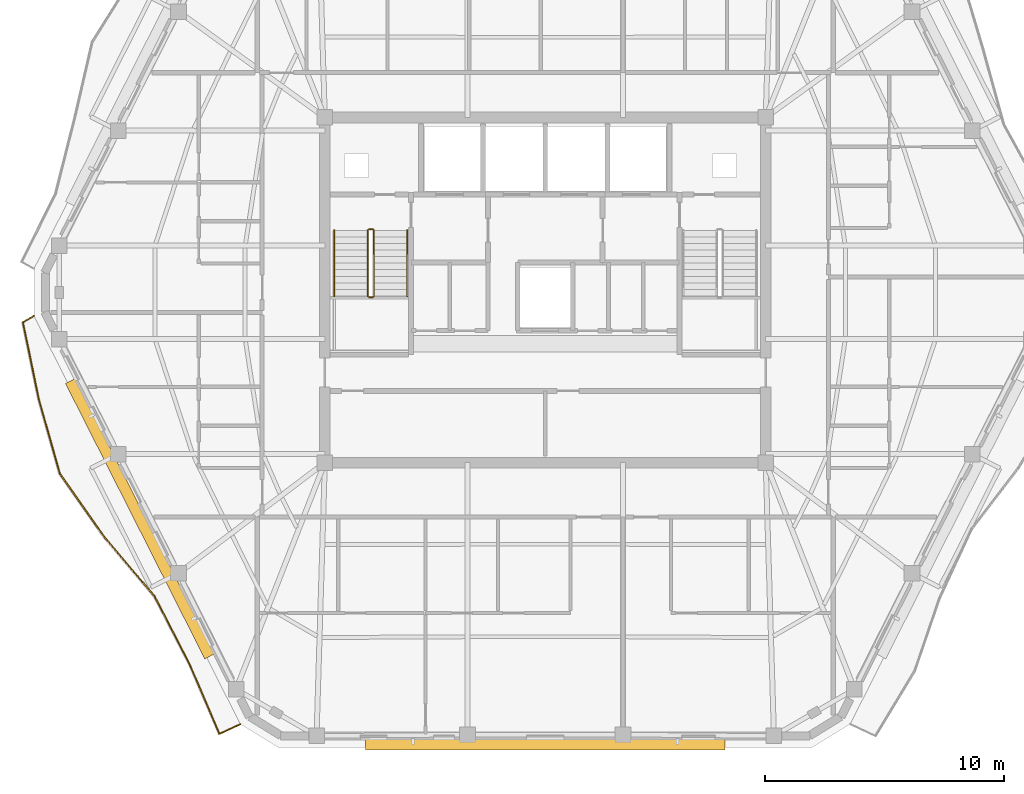
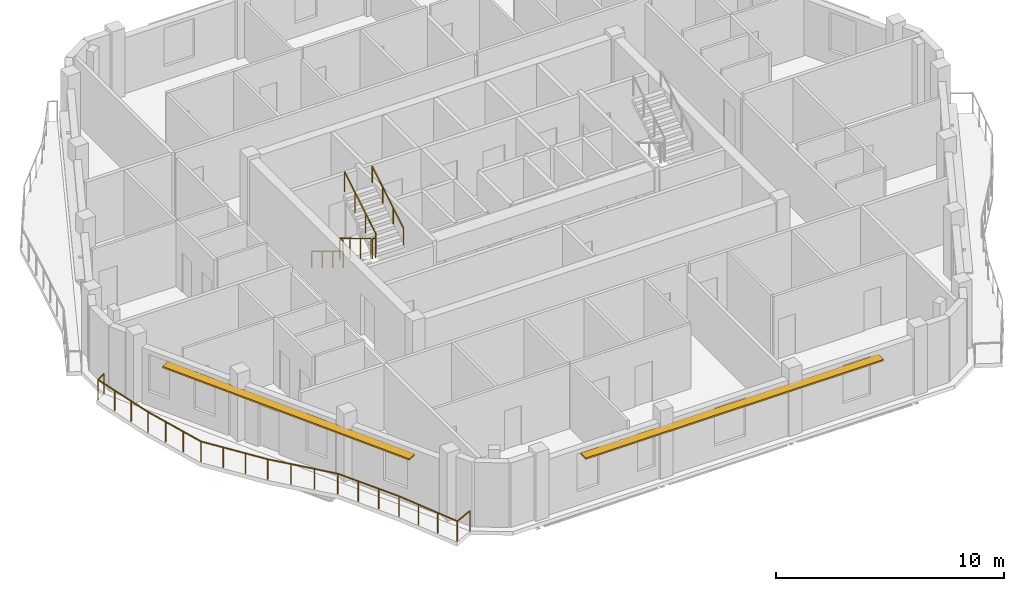
# One storey, part 9 of 11: 7 railings, 2 shading devices.
"""IFC4 building model written with IfcOpenShell, lengths in metres."""

from ifc_helpers import new_model, si_unit, direction, frame, origin, origin_2d, place, context, subcontext, project, spatial, rectangle, extrude, material, layer, layer_set, type_object, element, save


model = new_model("IFC4")

# Units and contexts
model_context = context("Model", 3, precision=1e-05, world=origin(), true_north=direction((0.0, 1.0)))
body_context = subcontext(model_context, "Body", "Model", "MODEL_VIEW")
ifc_project = project(units=[si_unit("LENGTHUNIT", "METRE"), si_unit("AREAUNIT", "SQUARE_METRE"), si_unit("VOLUMEUNIT", "CUBIC_METRE"), si_unit("PLANEANGLEUNIT", "RADIAN"), si_unit("MASSUNIT", "GRAM", prefix="KILO")], contexts=[model_context])

# Site, building, storey
site_placement = place(None, origin())
site = spatial("IfcSite", under=ifc_project, at=site_placement, CompositionType="ELEMENT")
building_placement = place(site_placement, origin())
building = spatial("IfcBuilding", under=site, at=building_placement, Name="Cinnabar Lancet Tower", CompositionType="ELEMENT")
storey_placement = place(building_placement, frame((0.0, 0.0, 259.85009765625)))
storey = spatial("IfcBuildingStorey", under=building, at=storey_placement, Name="L69", CompositionType="ELEMENT", Elevation=259.85009765625)

# Railing
ifc_material_1 = material(Name="Laminated safety glass and bronze stainless steel balustrade", Category="steel")
railing_type_1 = type_object("IfcRailingType", Name="ENV-RLG-BAL-1100", PredefinedType="BALUSTRADE", material=ifc_material_1)
railing_1_placement = place(storey_placement, frame((10.9970703125, 24.818115234375, 0.0)))
element("IfcRailing", 1, at=railing_1_placement, inside=storey, type_object=railing_type_1, Name="L69 Face 6 Wave Balcony Balustrade", PredefinedType="BALUSTRADE", context=body_context, shape_type="SweptSolid", body=[
    extrude(rectangle(XDim=0.048095703125, YDim=0.048095703125, at=origin_2d()), frame((0.0, 0.0, 1.076171875), z_axis=(-0.866707016717, -0.498817548983, 0.0), x_axis=(0.498817548983, -0.866707016717, 0.0)), (0.0, 0.0, 1.0), 0.529541015625),
    extrude(rectangle(XDim=0.048095703125, YDim=0.048095703125, at=origin_2d()), frame((-0.458984375, -0.26416015625, 1.076171875), z_axis=(0.202066718868, -0.979371758387, 0.0), x_axis=(0.979371758387, 0.202066718868, 0.0)), (0.0, 0.0, 1.0), 3.2958984375),
    extrude(rectangle(XDim=0.048095703125, YDim=0.048095703125, at=origin_2d()), frame((0.20703125, -3.4921875, 1.076171875), z_axis=(0.272789746958, -0.96207367387, 0.0), x_axis=(0.96207367387, 0.272789746958, 0.0)), (0.0, 0.0, 1.0), 3.23974609375),
    extrude(rectangle(XDim=0.048095703125, YDim=0.048095703125, at=origin_2d()), frame((1.0908203125, -6.609130859375, 1.076171875), z_axis=(0.57476682252, -0.818317236609, 0.0), x_axis=(0.818317236609, 0.57476682252, 0.0)), (0.0, 0.0, 1.0), 3.2138671875),
    extrude(rectangle(XDim=0.048095703125, YDim=0.048095703125, at=origin_2d()), frame((2.93798828125, -9.239013671875, 1.076171875), z_axis=(0.645938894346, -0.763389117535, 0.0), x_axis=(0.763389117535, 0.645938894346, 0.0)), (0.0, 0.0, 1.0), 3.269775390625),
    extrude(rectangle(XDim=0.048095703125, YDim=0.048095703125, at=origin_2d()), frame((5.050048828125, -11.735107421875, 1.076171875), z_axis=(0.458994808877, -0.88843894862, 0.0), x_axis=(0.88843894862, 0.458994808877, 0.0)), (0.0, 0.0, 1.0), 3.1806640625),
    extrude(rectangle(XDim=0.048095703125, YDim=0.048095703125, at=origin_2d()), frame((6.510009765625, -14.56103515625, 1.076171875), z_axis=(0.393605290574, -0.919279541398, 0.0), x_axis=(0.919279541398, 0.393605290574, 0.0)), (0.0, 0.0, 1.0), 3.190673828125),
    extrude(rectangle(XDim=0.048095703125, YDim=0.048095703125, at=origin_2d()), frame((7.765869140625, -17.494140625, 1.076171875), z_axis=(0.906512049509, 0.42217994279, 0.0), x_axis=(-0.42217994279, 0.906512049509, 0.0)), (0.0, 0.0, 1.0), 0.96630859375),
    extrude(rectangle(XDim=0.0419921875, YDim=0.0419921875, at=origin_2d()), origin(), (0.0, 0.0, 1.0), 1.052001953125),
    extrude(rectangle(XDim=0.0419921875, YDim=0.0419921875, at=origin_2d()), frame((-0.458984375, -0.26416015625, 0.0)), (0.0, 0.0, 1.0), 1.052001953125),
    extrude(rectangle(XDim=0.0419921875, YDim=0.0419921875, at=origin_2d()), frame((-0.237060546875, -1.340087890625, 0.0)), (0.0, 0.0, 1.0), 1.052001953125),
    extrude(rectangle(XDim=0.0419921875, YDim=0.0419921875, at=origin_2d()), frame((-0.014892578125, -2.416259765625, 0.0)), (0.0, 0.0, 1.0), 1.052001953125),
    extrude(rectangle(XDim=0.0419921875, YDim=0.0419921875, at=origin_2d()), frame((0.20703125, -3.4921875, 0.0)), (0.0, 0.0, 1.0), 1.052001953125),
    extrude(rectangle(XDim=0.0419921875, YDim=0.0419921875, at=origin_2d()), frame((0.501708984375, -4.53125, 0.0)), (0.0, 0.0, 1.0), 1.052001953125),
    extrude(rectangle(XDim=0.0419921875, YDim=0.0419921875, at=origin_2d()), frame((0.796142578125, -5.570068359375, 0.0)), (0.0, 0.0, 1.0), 1.052001953125),
    extrude(rectangle(XDim=0.0419921875, YDim=0.0419921875, at=origin_2d()), frame((1.0908203125, -6.609130859375, 0.0)), (0.0, 0.0, 1.0), 1.052001953125),
    extrude(rectangle(XDim=0.0419921875, YDim=0.0419921875, at=origin_2d()), frame((1.70654296875, -7.48583984375, 0.0)), (0.0, 0.0, 1.0), 1.052001953125),
    extrude(rectangle(XDim=0.0419921875, YDim=0.0419921875, at=origin_2d()), frame((2.322265625, -8.3623046875, 0.0)), (0.0, 0.0, 1.0), 1.052001953125),
    extrude(rectangle(XDim=0.0419921875, YDim=0.0419921875, at=origin_2d()), frame((2.93798828125, -9.239013671875, 0.0)), (0.0, 0.0, 1.0), 1.052001953125),
    extrude(rectangle(XDim=0.0419921875, YDim=0.0419921875, at=origin_2d()), frame((3.64208984375, -10.071044921875, 0.0)), (0.0, 0.0, 1.0), 1.052001953125),
    extrude(rectangle(XDim=0.0419921875, YDim=0.0419921875, at=origin_2d()), frame((4.345947265625, -10.903076171875, 0.0)), (0.0, 0.0, 1.0), 1.052001953125),
    extrude(rectangle(XDim=0.0419921875, YDim=0.0419921875, at=origin_2d()), frame((5.050048828125, -11.735107421875, 0.0)), (0.0, 0.0, 1.0), 1.052001953125),
    extrude(rectangle(XDim=0.0419921875, YDim=0.0419921875, at=origin_2d()), frame((5.53662109375, -12.677001953125, 0.0)), (0.0, 0.0, 1.0), 1.052001953125),
    extrude(rectangle(XDim=0.0419921875, YDim=0.0419921875, at=origin_2d()), frame((6.0234375, -13.619140625, 0.0)), (0.0, 0.0, 1.0), 1.052001953125),
    extrude(rectangle(XDim=0.0419921875, YDim=0.0419921875, at=origin_2d()), frame((6.510009765625, -14.56103515625, 0.0)), (0.0, 0.0, 1.0), 1.052001953125),
    extrude(rectangle(XDim=0.0419921875, YDim=0.0419921875, at=origin_2d()), frame((6.9287109375, -15.538818359375, 0.0)), (0.0, 0.0, 1.0), 1.052001953125),
    extrude(rectangle(XDim=0.0419921875, YDim=0.0419921875, at=origin_2d()), frame((7.34716796875, -16.516357421875, 0.0)), (0.0, 0.0, 1.0), 1.052001953125),
    extrude(rectangle(XDim=0.0419921875, YDim=0.0419921875, at=origin_2d()), frame((7.765869140625, -17.494140625, 0.0)), (0.0, 0.0, 1.0), 1.052001953125),
    extrude(rectangle(XDim=0.0419921875, YDim=0.0419921875, at=origin_2d()), frame((8.641845703125, -17.086181640625, 0.0)), (0.0, 0.0, 1.0), 1.052001953125),
])

# Shading devices
ifc_material_2 = material(Name="Pale limestone architectural aluminium sunshade", Category="masonry")
ifc_layer = layer(ifc_material_2, 0.080078125)
ifc_layer_set = layer_set([ifc_layer], Name="Pale limestone architectural aluminium sunshade")
shading_device_type = type_object("IfcShadingDeviceType", Name="ENV-SHD-LVR-450", PredefinedType="JALOUSIE", material=ifc_layer_set)
shading_device_1_placement = place(storey_placement, frame((32.39990234375, 6.8798828125, 2.639892578125), z_axis=(0.0, 0.0, 1.0), x_axis=(1.0, 0.0, 0.0)))
element("IfcShadingDevice", 2, at=shading_device_1_placement, inside=storey, type_object=shading_device_type, Name="L69 Face 1 Horizontal Sunshade Canopy", PredefinedType="JALOUSIE", context=body_context, shape_type="SweptSolid", body=[
    extrude(rectangle(XDim=15.06103515625, YDim=0.449951171875, at=origin_2d()), origin(), (0.0, 0.0, 1.0), 0.080078125),
])
shading_device_2_placement = place(storey_placement, frame((15.43603515625, 16.330078125, 2.639892578125), z_axis=(0.0, 0.0, 1.0), x_axis=(0.451375984307, -0.89233386173, 0.0)))
element("IfcShadingDevice", 3, at=shading_device_2_placement, inside=storey, type_object=shading_device_type, Name="L69 Face 6 Horizontal Sunshade Canopy", PredefinedType="JALOUSIE", context=body_context, shape_type="SweptSolid", body=[
    extrude(rectangle(XDim=12.912109375, YDim=0.449951171875, at=origin_2d()), origin(), (0.0, 0.0, 1.0), 0.080078125),
])

# Railings
ifc_material_3 = material(Name="Painted galvanized steel balustrade", Category="steel")
railing_type_2 = type_object("IfcRailingType", Name="GUARD-STAIR", PredefinedType="GUARDRAIL", material=ifc_material_3)
railing_2_placement = place(storey_placement, frame((24.97509765625, 28.39990234375, 0.165771484375)))
element("IfcRailing", 4, at=railing_2_placement, inside=storey, type_object=railing_type_2, Name="L69 ST-1 stair guard 1", PredefinedType="GUARDRAIL", context=body_context, shape_type="SweptSolid", body=[
    extrude(rectangle(XDim=0.048095703125, YDim=0.048095703125, at=origin_2d()), frame((0.0, 0.0, 1.076171875), z_axis=(0.0, -0.856229400918, 0.51659579267), x_axis=(1.0, 0.0, 0.0)), (0.0, 0.0, 1.0), 3.211669921875),
    extrude(rectangle(XDim=0.0419921875, YDim=0.0419921875, at=origin_2d()), origin(), (0.0, 0.0, 1.0), 1.052001953125),
    extrude(rectangle(XDim=0.0419921875, YDim=0.0419921875, at=origin_2d()), frame((0.0, -0.916748046875, 0.552978515625)), (0.0, 0.0, 1.0), 1.052001953125),
    extrude(rectangle(XDim=0.0419921875, YDim=0.0419921875, at=origin_2d()), frame((0.0, -1.833251953125, 1.106201171875)), (0.0, 0.0, 1.0), 1.052001953125),
    extrude(rectangle(XDim=0.0419921875, YDim=0.0419921875, at=origin_2d()), frame((0.0, -2.75, 1.6591796875)), (0.0, 0.0, 1.0), 1.052001953125),
])
railing_3_placement = place(storey_placement, frame((25.02490234375, 25.60009765625, 1.824951171875)))
element("IfcRailing", 5, at=railing_3_placement, inside=storey, type_object=railing_type_2, Name="L69 ST-1 stair guard 2", PredefinedType="GUARDRAIL", context=body_context, shape_type="SweptSolid", body=[
    extrude(rectangle(XDim=0.048095703125, YDim=0.048095703125, at=origin_2d()), frame((0.0, 0.0, 1.076171875), z_axis=(1.0, 0.0, 0.0), x_axis=(0.0, 1.0, 0.0)), (0.0, 0.0, 1.0), 0.150146484375),
    extrude(rectangle(XDim=0.0419921875, YDim=0.0419921875, at=origin_2d()), origin(), (0.0, 0.0, 1.0), 1.052001953125),
    extrude(rectangle(XDim=0.0419921875, YDim=0.0419921875, at=origin_2d()), frame((0.150146484375, 0.0, 0.0)), (0.0, 0.0, 1.0), 1.052001953125),
])
railing_4_placement = place(storey_placement, frame((25.22509765625, 25.64990234375, 1.99072265625)))
element("IfcRailing", 6, at=railing_4_placement, inside=storey, type_object=railing_type_2, Name="L69 ST-1 stair guard 3", PredefinedType="GUARDRAIL", context=body_context, shape_type="SweptSolid", body=[
    extrude(rectangle(XDim=0.048095703125, YDim=0.048095703125, at=origin_2d()), frame((0.0, 0.0, 1.076171875), z_axis=(0.0, 0.856229400918, 0.51659579267), x_axis=(-1.0, 0.0, 0.0)), (0.0, 0.0, 1.0), 3.211669921875),
    extrude(rectangle(XDim=0.0419921875, YDim=0.0419921875, at=origin_2d()), origin(), (0.0, 0.0, 1.0), 1.052001953125),
    extrude(rectangle(XDim=0.0419921875, YDim=0.0419921875, at=origin_2d()), frame((0.0, 0.916748046875, 0.552978515625)), (0.0, 0.0, 1.0), 1.052001953125),
    extrude(rectangle(XDim=0.0419921875, YDim=0.0419921875, at=origin_2d()), frame((0.0, 1.833251953125, 1.106201171875)), (0.0, 0.0, 1.0), 1.052001953125),
    extrude(rectangle(XDim=0.0419921875, YDim=0.0419921875, at=origin_2d()), frame((0.0, 2.75, 1.6591796875)), (0.0, 0.0, 1.0), 1.052001953125),
])
railing_5_placement = place(storey_placement, frame((25.02490234375, 28.449951171875, 0.0)))
element("IfcRailing", 7, at=railing_5_placement, inside=storey, type_object=railing_type_2, Name="L69 ST-1 stair guard 4", PredefinedType="GUARDRAIL", context=body_context, shape_type="SweptSolid", body=[
    extrude(rectangle(XDim=0.048095703125, YDim=0.048095703125, at=origin_2d()), frame((0.0, 0.0, 1.076171875), z_axis=(1.0, 0.0, 0.0), x_axis=(0.0, 1.0, 0.0)), (0.0, 0.0, 1.0), 0.150146484375),
    extrude(rectangle(XDim=0.0419921875, YDim=0.0419921875, at=origin_2d()), origin(), (0.0, 0.0, 1.0), 1.052001953125),
    extrude(rectangle(XDim=0.0419921875, YDim=0.0419921875, at=origin_2d()), frame((0.150146484375, 0.0, 0.0)), (0.0, 0.0, 1.0), 1.052001953125),
])
ifc_material_4 = material(Name="Brushed stainless steel handrail", Category="steel")
railing_type_3 = type_object("IfcRailingType", Name="HANDRAIL-STAIR", PredefinedType="HANDRAIL", material=ifc_material_4)
railing_6_placement = place(storey_placement, frame((23.574951171875, 28.39990234375, 0.165771484375)))
element("IfcRailing", 8, at=railing_6_placement, inside=storey, type_object=railing_type_3, Name="L69 ST-1 stair handrail 1", PredefinedType="HANDRAIL", context=body_context, shape_type="SweptSolid", body=[
    extrude(rectangle(XDim=0.048095703125, YDim=0.048095703125, at=origin_2d()), frame((0.0, 0.0, 0.8759765625), z_axis=(0.0, -0.856229400918, 0.51659579267), x_axis=(1.0, 0.0, 0.0)), (0.0, 0.0, 1.0), 3.211669921875),
    extrude(rectangle(XDim=0.0419921875, YDim=0.0419921875, at=origin_2d()), origin(), (0.0, 0.0, 1.0), 0.851806640625),
    extrude(rectangle(XDim=0.0419921875, YDim=0.0419921875, at=origin_2d()), frame((0.0, -0.916748046875, 0.552978515625)), (0.0, 0.0, 1.0), 0.851806640625),
    extrude(rectangle(XDim=0.0419921875, YDim=0.0419921875, at=origin_2d()), frame((0.0, -1.833251953125, 1.106201171875)), (0.0, 0.0, 1.0), 0.851806640625),
    extrude(rectangle(XDim=0.0419921875, YDim=0.0419921875, at=origin_2d()), frame((0.0, -2.75, 1.6591796875)), (0.0, 0.0, 1.0), 0.851806640625),
])
railing_7_placement = place(storey_placement, frame((26.625, 25.64990234375, 1.99072265625)))
element("IfcRailing", 9, at=railing_7_placement, inside=storey, type_object=railing_type_3, Name="L69 ST-1 stair handrail 2", PredefinedType="HANDRAIL", context=body_context, shape_type="SweptSolid", body=[
    extrude(rectangle(XDim=0.048095703125, YDim=0.048095703125, at=origin_2d()), frame((0.0, 0.0, 0.8759765625), z_axis=(0.0, 0.856229400918, 0.51659579267), x_axis=(-1.0, 0.0, 0.0)), (0.0, 0.0, 1.0), 3.211669921875),
    extrude(rectangle(XDim=0.0419921875, YDim=0.0419921875, at=origin_2d()), origin(), (0.0, 0.0, 1.0), 0.851806640625),
    extrude(rectangle(XDim=0.0419921875, YDim=0.0419921875, at=origin_2d()), frame((0.0, 0.916748046875, 0.552978515625)), (0.0, 0.0, 1.0), 0.851806640625),
    extrude(rectangle(XDim=0.0419921875, YDim=0.0419921875, at=origin_2d()), frame((0.0, 1.833251953125, 1.106201171875)), (0.0, 0.0, 1.0), 0.851806640625),
    extrude(rectangle(XDim=0.0419921875, YDim=0.0419921875, at=origin_2d()), frame((0.0, 2.75, 1.6591796875)), (0.0, 0.0, 1.0), 0.851806640625),
])

save(model, "model.ifc")
